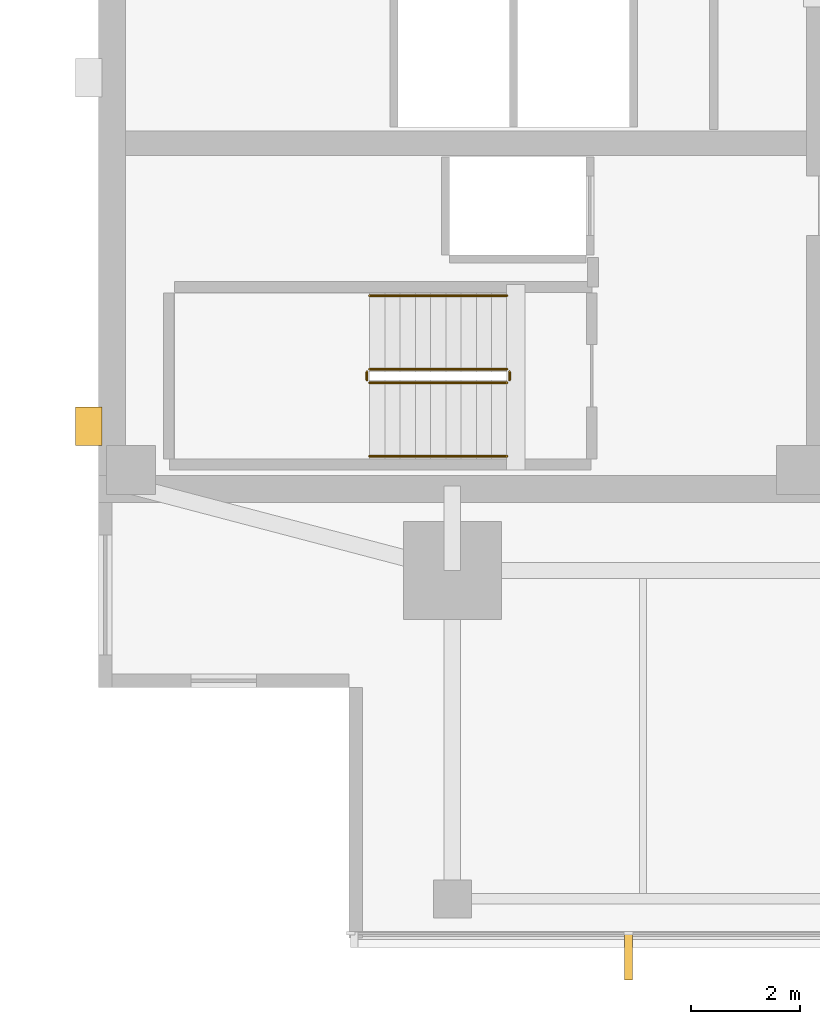
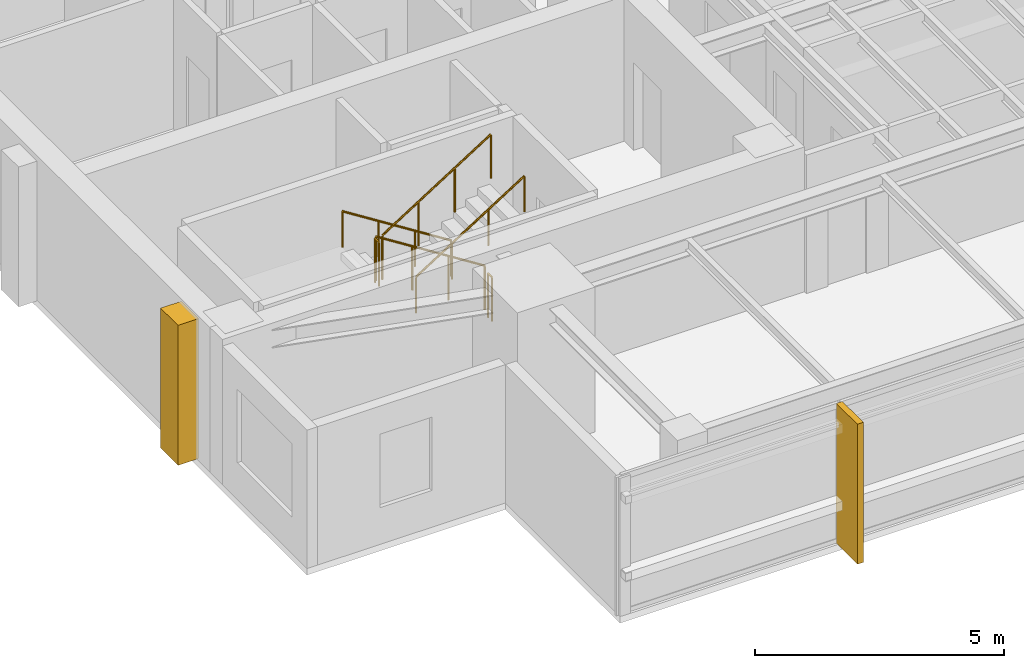
# One storey, part 11 of 14: 6 railings, 2 coverings.
"""IFC4 building model written with IfcOpenShell, lengths in metres."""

from ifc_helpers import new_model, si_unit, direction, frame, origin, origin_2d, place, context, subcontext, project, spatial, polyline, circle, outline, extrude, material, layer, layer_set, type_object, element, save


model = new_model("IFC4")

# Units and contexts
model_context = context("Model", 3, precision=1e-05, world=origin(), true_north=direction((0.0, 1.0)))
body_context = subcontext(model_context, "Body", "Model", "MODEL_VIEW")
ifc_project = project(units=[si_unit("LENGTHUNIT", "METRE"), si_unit("AREAUNIT", "SQUARE_METRE"), si_unit("VOLUMEUNIT", "CUBIC_METRE"), si_unit("PLANEANGLEUNIT", "RADIAN"), si_unit("MASSUNIT", "GRAM", prefix="KILO")], contexts=[model_context])

# Site, building, storey
site_placement = place(None, origin())
site = spatial("IfcSite", under=ifc_project, at=site_placement, CompositionType="ELEMENT")
building_placement = place(site_placement, origin())
building = spatial("IfcBuilding", under=site, at=building_placement, Name="Kinhvarn Gate Tower", CompositionType="ELEMENT")
storey_placement = place(building_placement, frame((0.0, 0.0, 249.25)))
storey = spatial("IfcBuildingStorey", under=building, at=storey_placement, Name="L66", CompositionType="ELEMENT", Elevation=249.25)

# Coverings
ifc_material_1 = material(Name="Fired architectural terracotta", Category="masonry")
ifc_layer_1 = layer(ifc_material_1, 0.139892578125)
ifc_layer_set_1 = layer_set([ifc_layer_1], Name="Fired architectural terracotta")
covering_type_1 = type_object("IfcCoveringType", Name="COV-FIN-850", PredefinedType="CLADDING", material=ifc_layer_set_1)
covering_1_placement = place(storey_placement, frame((0.0, 0.0, -0.02001953125)))
element("IfcCovering", 1, at=covering_1_placement, inside=storey, type_object=covering_type_1, Name="Vertical Terracotta Expressive Fin TFN-850 (L66)", PredefinedType="CLADDING", context=body_context, shape_type="SweptSolid", body=[
    extrude(outline(polyline([(14.163330078125, 6.080078125), (14.30322265625, 6.080078125), (14.30322265625, 5.22998046875), (14.163330078125, 5.22998046875), (14.163330078125, 6.080078125)])), origin(), (0.0, 0.0, 1.0), 3.429931640625),
])
ifc_material_2 = material(Name="Precast white architectural concrete C40/50", Category="concrete")
ifc_layer_2 = layer(ifc_material_2, 0.47998046875)
ifc_layer_set_2 = layer_set([ifc_layer_2], Name="Precast white architectural concrete C40/50")
covering_type_2 = type_object("IfcCoveringType", Name="COV-RIB-450", PredefinedType="CLADDING", material=ifc_layer_set_2)
covering_2_placement = place(storey_placement, frame((0.0, 0.0, -0.02001953125)))
element("IfcCovering", 2, at=covering_2_placement, inside=storey, type_object=covering_type_2, Name="West Core Sculptural Concrete Relief Rib CRB-450 (L66)", PredefinedType="CLADDING", context=body_context, shape_type="SweptSolid", body=[
    extrude(outline(polyline([(4.080078125, 15.050048828125), (4.56005859375, 15.050048828125), (4.56005859375, 15.75), (4.080078125, 15.75), (4.080078125, 15.050048828125)])), origin(), (0.0, 0.0, 1.0), 3.429931640625),
])

# Railings
ifc_material_3 = material(Name="Steel S355", Category="steel")
railing_type_1 = type_object("IfcRailingType", Name="RL-ST-GRD", PredefinedType="BALUSTRADE", material=ifc_material_3)
railing_1_placement = place(storey_placement, frame((12.0, 16.449951171875, 0.177490234375)))
element("IfcRailing", 3, at=railing_1_placement, inside=storey, type_object=railing_type_1, Name="L66 ST1 stair guard 1", PredefinedType="BALUSTRADE", context=body_context, shape_type="SweptSolid", body=[
    extrude(circle(Radius=0.02392578125, at=origin_2d()), frame((0.0, 0.0, 1.076171875), z_axis=(-0.84460694969, 0.0, 0.535386869969), x_axis=(0.0, -1.0, 0.0)), (0.0, 0.0, 1.0), 2.983642578125),
    extrude(circle(Radius=0.02099609375, at=origin_2d()), origin(), (0.0, 0.0, 1.0), 1.052001953125),
    extrude(circle(Radius=0.02099609375, at=origin_2d()), frame((-0.840087890625, 0.0, 0.532470703125)), (0.0, 0.0, 1.0), 1.052001953125),
    extrude(circle(Radius=0.02099609375, at=origin_2d()), frame((-1.679931640625, 0.0, 1.06494140625)), (0.0, 0.0, 1.0), 1.052001953125),
    extrude(circle(Radius=0.02099609375, at=origin_2d()), frame((-2.52001953125, 0.0, 1.597412109375)), (0.0, 0.0, 1.0), 1.052001953125),
])
railing_2_placement = place(storey_placement, frame((9.429931640625, 16.39990234375, 1.77490234375)))
element("IfcRailing", 4, at=railing_2_placement, inside=storey, type_object=railing_type_1, Name="L66 ST1 stair guard 2", PredefinedType="BALUSTRADE", context=body_context, shape_type="SweptSolid", body=[
    extrude(circle(Radius=0.02392578125, at=origin_2d()), frame((0.0, 0.0, 1.076171875), z_axis=(0.0, -1.0, 0.0), x_axis=(1.0, 0.0, 0.0)), (0.0, 0.0, 1.0), 0.14990234375),
    extrude(circle(Radius=0.02099609375, at=origin_2d()), origin(), (0.0, 0.0, 1.0), 1.052001953125),
    extrude(circle(Radius=0.02099609375, at=origin_2d()), frame((0.0, -0.14990234375, 0.0)), (0.0, 0.0, 1.0), 1.052001953125),
])
railing_3_placement = place(storey_placement, frame((9.47998046875, 16.199951171875, 1.952392578125)))
element("IfcRailing", 5, at=railing_3_placement, inside=storey, type_object=railing_type_1, Name="L66 ST1 stair guard 3", PredefinedType="BALUSTRADE", context=body_context, shape_type="SweptSolid", body=[
    extrude(circle(Radius=0.02392578125, at=origin_2d()), frame((0.0, 0.0, 1.076171875), z_axis=(0.84456994832, 0.0, 0.535445237532), x_axis=(0.0, 1.0, 0.0)), (0.0, 0.0, 1.0), 2.98388671875),
    extrude(circle(Radius=0.02099609375, at=origin_2d()), origin(), (0.0, 0.0, 1.0), 1.052001953125),
    extrude(circle(Radius=0.02099609375, at=origin_2d()), frame((0.840087890625, 0.0, 0.532470703125)), (0.0, 0.0, 1.0), 1.052001953125),
    extrude(circle(Radius=0.02099609375, at=origin_2d()), frame((1.679931640625, 0.0, 1.065185546875)), (0.0, 0.0, 1.0), 1.052001953125),
    extrude(circle(Radius=0.02099609375, at=origin_2d()), frame((2.52001953125, 0.0, 1.59765625)), (0.0, 0.0, 1.0), 1.052001953125),
])
railing_4_placement = place(storey_placement, frame((12.050048828125, 16.39990234375, 0.0)))
element("IfcRailing", 6, at=railing_4_placement, inside=storey, type_object=railing_type_1, Name="L66 ST1 stair guard 4", PredefinedType="BALUSTRADE", context=body_context, shape_type="SweptSolid", body=[
    extrude(circle(Radius=0.02392578125, at=origin_2d()), frame((0.0, 0.0, 1.076171875), z_axis=(0.0, -1.0, 0.0), x_axis=(1.0, 0.0, 0.0)), (0.0, 0.0, 1.0), 0.14990234375),
    extrude(circle(Radius=0.02099609375, at=origin_2d()), origin(), (0.0, 0.0, 1.0), 1.052001953125),
    extrude(circle(Radius=0.02099609375, at=origin_2d()), frame((0.0, -0.14990234375, 0.0)), (0.0, 0.0, 1.0), 1.052001953125),
])
railing_type_2 = type_object("IfcRailingType", Name="RL-ST-HND", PredefinedType="HANDRAIL", material=ifc_material_3)
railing_5_placement = place(storey_placement, frame((12.0, 17.800048828125, 0.177490234375)))
element("IfcRailing", 7, at=railing_5_placement, inside=storey, type_object=railing_type_2, Name="L66 ST1 stair handrail 1", PredefinedType="HANDRAIL", context=body_context, shape_type="SweptSolid", body=[
    extrude(circle(Radius=0.02392578125, at=origin_2d()), frame((0.0, 0.0, 0.8759765625), z_axis=(-0.84460694969, 0.0, 0.535386869969), x_axis=(0.0, -1.0, 0.0)), (0.0, 0.0, 1.0), 2.983642578125),
    extrude(circle(Radius=0.02099609375, at=origin_2d()), origin(), (0.0, 0.0, 1.0), 0.851806640625),
    extrude(circle(Radius=0.02099609375, at=origin_2d()), frame((-0.840087890625, 0.0, 0.532470703125)), (0.0, 0.0, 1.0), 0.851806640625),
    extrude(circle(Radius=0.02099609375, at=origin_2d()), frame((-1.679931640625, 0.0, 1.06494140625)), (0.0, 0.0, 1.0), 0.851806640625),
    extrude(circle(Radius=0.02099609375, at=origin_2d()), frame((-2.52001953125, 0.0, 1.597412109375)), (0.0, 0.0, 1.0), 0.851806640625),
])
railing_6_placement = place(storey_placement, frame((9.47998046875, 14.85009765625, 1.952392578125)))
element("IfcRailing", 8, at=railing_6_placement, inside=storey, type_object=railing_type_2, Name="L66 ST1 stair handrail 2", PredefinedType="HANDRAIL", context=body_context, shape_type="SweptSolid", body=[
    extrude(circle(Radius=0.02392578125, at=origin_2d()), frame((0.0, 0.0, 0.8759765625), z_axis=(0.84456994832, 0.0, 0.535445237532), x_axis=(0.0, 1.0, 0.0)), (0.0, 0.0, 1.0), 2.98388671875),
    extrude(circle(Radius=0.02099609375, at=origin_2d()), origin(), (0.0, 0.0, 1.0), 0.851806640625),
    extrude(circle(Radius=0.02099609375, at=origin_2d()), frame((0.840087890625, 0.0, 0.532470703125)), (0.0, 0.0, 1.0), 0.851806640625),
    extrude(circle(Radius=0.02099609375, at=origin_2d()), frame((1.679931640625, 0.0, 1.065185546875)), (0.0, 0.0, 1.0), 0.851806640625),
    extrude(circle(Radius=0.02099609375, at=origin_2d()), frame((2.52001953125, 0.0, 1.59765625)), (0.0, 0.0, 1.0), 0.851806640625),
])

save(model, "model.ifc")
